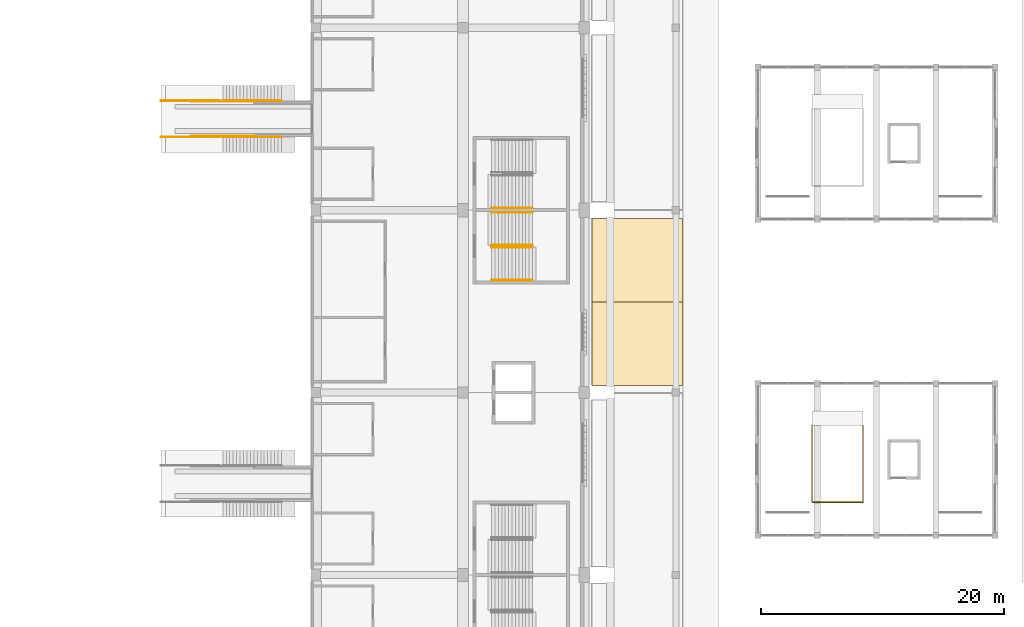
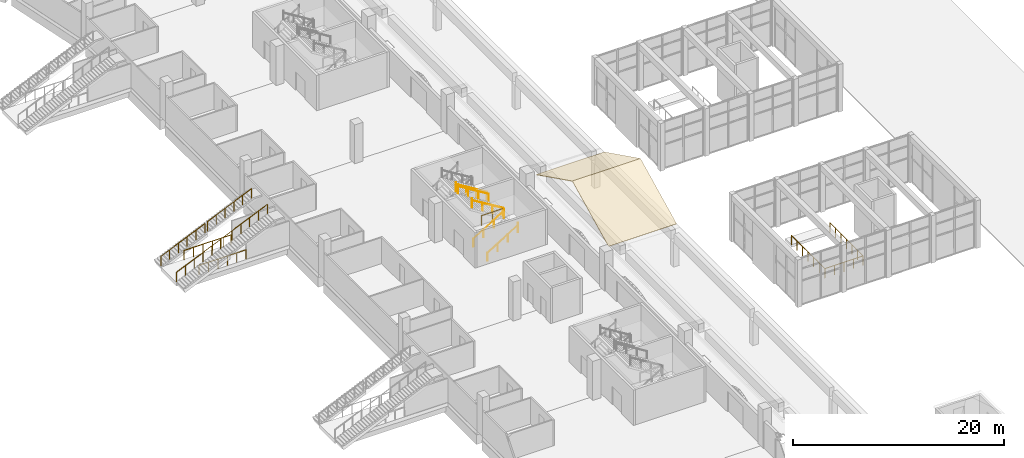
# One storey, part 161 of 175: 13 railings, 2 coverings.
"""IFC4 building model written with IfcOpenShell, lengths in metres."""

import ifcopenshell
import ifcopenshell.guid

model = None  # the IFC model being written
_history = None  # IfcOwnerHistory: only IFC2X3 demands one
_inside = {}  # id of a spatial element -> (the spatial element, [elements in it])
_under = {}  # id of a project, library or spatial element -> (it, [spatial elements below it])
_declared = {}  # id of a project -> (the project, [libraries it declares])
_typed = {}  # id of a type object -> (the type object, [elements of that type])
_made_of = {}  # id of a material, layer set ... -> (it, [elements and type objects made of it])


def new_model(schema):
    """Start an empty IFC model of exactly this schema.

    Asked for "IFC4X3", IfcOpenShell would pick the latest addendum, in which some entities
    have other attributes; the version numbers below select the first issue.
    IFC2X3 requires an IfcOwnerHistory on every rooted entity: one is made here for all.
    """
    global model, _history
    if schema == "IFC4X3":
        model = ifcopenshell.file(schema_version=(4, 3, 0, 0))
    else:
        model = ifcopenshell.file(schema=schema)
    _inside.clear()
    _under.clear()
    _declared.clear()
    _typed.clear()
    _made_of.clear()
    _history = None
    if model.schema == "IFC2X3":
        org = make("IfcOrganization", Name="unknown")
        user = make(
            "IfcPersonAndOrganization",
            ThePerson=make("IfcPerson", FamilyName="unknown"),
            TheOrganization=org,
        )
        app = make(
            "IfcApplication",
            ApplicationDeveloper=org,
            Version="unknown",
            ApplicationFullName="unknown",
            ApplicationIdentifier="unknown",
        )
        _history = make(
            "IfcOwnerHistory",
            OwningUser=user,
            OwningApplication=app,
            ChangeAction="ADDED",
            CreationDate=0,
        )
    return model


def make(cls, **values):
    """One entity of the class cls with the attributes given. An attribute that is None is left unset."""
    return model.create_entity(
        cls, **{name: value for name, value in values.items() if value is not None}
    )


def rooted(cls, **values):
    """An entity with a GlobalId (a new one), such as an element, a storey or a relation."""
    return make(cls, GlobalId=ifcopenshell.guid.new(), OwnerHistory=_history, **values)


def si_unit(unit_type, name, prefix=None):
    """IfcSIUnit, for example si_unit("LENGTHUNIT", "METRE", prefix="MILLI")."""
    return make("IfcSIUnit", UnitType=unit_type, Prefix=prefix, Name=name)


def assignment(units):
    """IfcUnitAssignment: the units of a project."""
    return None if units is None else make("IfcUnitAssignment", Units=units)


def point(xyz):
    """IfcCartesianPoint."""
    return None if xyz is None else make("IfcCartesianPoint", Coordinates=xyz)


def direction(xyz):
    """IfcDirection."""
    return None if xyz is None else make("IfcDirection", DirectionRatios=xyz)


def frame(location, z_axis=None, x_axis=None):
    """IfcAxis2Placement3D, a coordinate frame: its origin and axes. An axis left out is left unset."""
    return make(
        "IfcAxis2Placement3D",
        Location=point(location),
        Axis=direction(z_axis),
        RefDirection=direction(x_axis),
    )


def frame_2d(location, x_axis=None):
    """IfcAxis2Placement2D, a coordinate frame in the plane: its origin and x axis."""
    return make(
        "IfcAxis2Placement2D", Location=point(location), RefDirection=direction(x_axis)
    )


def origin():
    """The frame at (0, 0, 0) with its axes left unset."""
    return frame((0.0, 0.0, 0.0))


def origin_2d():
    """The frame at (0, 0) in the plane with its x axis left unset."""
    return frame_2d((0.0, 0.0))


def place(relative_to, where):
    """IfcLocalPlacement: puts the frame where relative to a parent placement (None: the world)."""
    return make(
        "IfcLocalPlacement", PlacementRelTo=relative_to, RelativePlacement=where
    )


def context(
    kind, dimensions, precision=None, world=None, true_north=None, identifier=None
):
    """IfcGeometricRepresentationContext, for example the 3D "Model" context."""
    return make(
        "IfcGeometricRepresentationContext",
        ContextIdentifier=identifier,
        ContextType=kind,
        CoordinateSpaceDimension=dimensions,
        Precision=precision,
        WorldCoordinateSystem=world,
        TrueNorth=true_north,
    )


def subcontext(parent, identifier, kind, view, scale=None):
    """IfcGeometricRepresentationSubContext, for example "Body" below "Model"."""
    return make(
        "IfcGeometricRepresentationSubContext",
        ContextIdentifier=identifier,
        ContextType=kind,
        ParentContext=parent,
        TargetScale=scale,
        TargetView=view,
    )


def project(units=None, contexts=None):
    """IfcProject with its units and contexts."""
    return rooted(
        "IfcProject",
        Name="project",
        RepresentationContexts=contexts,
        UnitsInContext=assignment(units),
    )


def spatial(cls, under=None, at=None, **own):
    """A site, building, storey or space (cls), placed at a placement, below another one or the project."""
    s = rooted(cls, ObjectPlacement=at, **own)
    if under is not None:
        _under.setdefault(under.id(), (under, []))[1].append(s)
    return s


def polyline(points):
    """IfcPolyline through the points."""
    return make("IfcPolyline", Points=[point(p) for p in points])


def profile(cls, at=None, kind="AREA", **sizes):
    """A parametric profile (cls). Its sizes go by their IFC names, for example OverallWidth=200.0."""
    return make(cls, ProfileType=kind, Position=at, **sizes)


def circle(**sizes):
    """IfcCircleProfileDef."""
    return profile("IfcCircleProfileDef", **sizes)


def outline(outer, holes=None, kind="AREA"):
    """IfcArbitraryClosedProfileDef: a profile drawn as a closed curve; with holes, ...WithVoids."""
    if holes is None:
        return make("IfcArbitraryClosedProfileDef", ProfileType=kind, OuterCurve=outer)
    return make(
        "IfcArbitraryProfileDefWithVoids",
        ProfileType=kind,
        OuterCurve=outer,
        InnerCurves=holes,
    )


def extrude(swept, where, along, depth):
    """IfcExtrudedAreaSolid: the profile swept, set in the frame where, extruded along a direction by depth."""
    return make(
        "IfcExtrudedAreaSolid",
        SweptArea=swept,
        Position=where,
        ExtrudedDirection=direction(along),
        Depth=depth,
    )


def shape(context_of_items, identifier, shape_type, items):
    """IfcShapeRepresentation: the items that make up one representation, for example the "Body"."""
    return make(
        "IfcShapeRepresentation",
        ContextOfItems=context_of_items,
        RepresentationIdentifier=identifier,
        RepresentationType=shape_type,
        Items=items,
    )


def material(Name=None, Category=None):
    """IfcMaterial."""
    return make("IfcMaterial", Name=Name, Category=Category)


def layer(
    of_material, thickness, ventilated=None, Name=None, Category=None, Priority=None
):
    """IfcMaterialLayer: one layer of a wall or slab, of a material (None: an air gap)."""
    return make(
        "IfcMaterialLayer",
        Material=of_material,
        LayerThickness=thickness,
        IsVentilated=ventilated,
        Name=Name,
        Category=Category,
        Priority=Priority,
    )


def layer_set(layers, Name=None):
    """IfcMaterialLayerSet."""
    return make("IfcMaterialLayerSet", MaterialLayers=layers, LayerSetName=Name)


def made_of(thing, what):
    """Note that an element or type object is made of a material, layer set ...; save() writes the relation."""
    if what is not None:
        _made_of.setdefault(what.id(), (what, []))[1].append(thing)
    return thing


def type_object(cls, material=None, **own):
    """A type object (cls), such as IfcWallType, which elements share."""
    return made_of(rooted(cls, **own), material)


def element(
    cls,
    number,
    at=None,
    inside=None,
    cuts=None,
    type_object=None,
    material=None,
    context=None,
    identifier="Body",
    shape_type=None,
    held_by="IfcProductDefinitionShape",
    body=None,
    shapes=None,
    **own,
):
    """One element of the class cls, such as IfcWall. Its Tag is "e" and its number.

    at: its placement. inside: the storey or other place that contains it. cuts: it is an
    opening in that element (IfcRelVoidsElement). A single representation is given by context,
    identifier, shape_type and body (its items); several are given by shapes. held_by: the class
    of the entity that holds the representations. save() writes the other relations.
    """
    e = rooted(cls, Tag="e%d" % number, ObjectPlacement=at, **own)
    if body is not None:
        shapes = [shape(context, identifier, shape_type, body)]
    if shapes is not None:
        e.Representation = make(held_by, Representations=shapes)
    if inside is not None:
        _inside.setdefault(inside.id(), (inside, []))[1].append(e)
    if cuts is not None:
        rooted(
            "IfcRelVoidsElement", RelatingBuildingElement=cuts, RelatedOpeningElement=e
        )
    if type_object is not None:
        _typed.setdefault(type_object.id(), (type_object, []))[1].append(e)
    return made_of(e, material)


def aggregate(whole, parts):
    """IfcRelAggregates: a whole, such as a stair, and the parts it consists of."""
    return rooted("IfcRelAggregates", RelatingObject=whole, RelatedObjects=parts)


def save(model, path):
    """Write the relations noted so far, then the file.

    IfcRelAggregates (storeys below a building ...), IfcRelContainedInSpatialStructure (elements
    in a storey), IfcRelDefinesByType, IfcRelAssociatesMaterial and IfcRelDeclares: one each for
    every whole, place, type object, material and project.
    """
    for whole, parts in _under.values():
        aggregate(whole, parts)
    for where, things in _inside.values():
        rooted(
            "IfcRelContainedInSpatialStructure",
            RelatedElements=things,
            RelatingStructure=where,
        )
    for kind, things in _typed.values():
        rooted("IfcRelDefinesByType", RelatedObjects=things, RelatingType=kind)
    for what, things in _made_of.values():
        rooted("IfcRelAssociatesMaterial", RelatedObjects=things, RelatingMaterial=what)
    for by, libraries in _declared.values():
        rooted("IfcRelDeclares", RelatingContext=by, RelatedDefinitions=libraries)
    model.write(path)


model = new_model("IFC4")

# Units and contexts
model_context = context("Model", 3, precision=1e-05, world=origin(), true_north=direction((0.0, 1.0)))
body_context = subcontext(model_context, "Body", "Model", "MODEL_VIEW")
ifc_project = project(units=[si_unit("LENGTHUNIT", "METRE"), si_unit("AREAUNIT", "SQUARE_METRE"), si_unit("VOLUMEUNIT", "CUBIC_METRE"), si_unit("PLANEANGLEUNIT", "RADIAN"), si_unit("MASSUNIT", "GRAM", prefix="KILO")], contexts=[model_context])

# Site, building, storey
site_placement = place(None, origin())
site = spatial("IfcSite", under=ifc_project, at=site_placement, CompositionType="ELEMENT")
building_placement = place(site_placement, origin())
building = spatial("IfcBuilding", under=site, at=building_placement, Name="Ogive Plaza Stadium", CompositionType="ELEMENT")
storey_placement = place(building_placement, origin())
storey = spatial("IfcBuildingStorey", under=building, at=storey_placement, Name="L00", CompositionType="ELEMENT", Elevation=0.0)

# Railings
ifc_material_1 = material(Name="Steel ASTM A572 Grade 50", Category="steel")
railing_type_1 = type_object("IfcRailingType", Name="Guard 1100", PredefinedType="GUARDRAIL", material=ifc_material_1)
railing_1_placement = place(storey_placement, frame((77.31005859375, 4.52490234375, 2.25)))
element("IfcRailing", 1, at=railing_1_placement, inside=storey, type_object=railing_type_1, Name="Stair well guard ST04A L00", PredefinedType="GUARDRAIL", context=body_context, shape_type="SweptSolid", body=[
    extrude(circle(Radius=0.02392578125, at=origin_2d()), frame((0.0, 0.0, 1.076171875), z_axis=(1.0, 0.0, 0.0), x_axis=(0.0, 1.0, 0.0)), (0.0, 0.0, 1.0), 2.39990234375),
    extrude(circle(Radius=0.02099609375, at=origin_2d()), origin(), (0.0, 0.0, 1.0), 1.052001953125),
    extrude(circle(Radius=0.02099609375, at=origin_2d()), frame((1.199951171875, 0.0, 0.0)), (0.0, 0.0, 1.0), 1.052001953125),
    extrude(circle(Radius=0.02099609375, at=origin_2d()), frame((2.39990234375, 0.0, 0.0)), (0.0, 0.0, 1.0), 1.052001953125),
])
for number, where, name in (
    (2, (49.14990234375, 13.5, 0.125), "Vomitory guard B03"),
    (3, (54.25, 13.5, 2.375), "Vomitory guard B03"),
    (4, (49.14990234375, 16.5, 0.125), "Vomitory guard B03"),
    (5, (54.25, 16.5, 2.375), "Vomitory guard B03"),
):
    element("IfcRailing", number, at=place(storey_placement, frame(where)), inside=storey, type_object=railing_type_1, Name=name, PredefinedType="GUARDRAIL", context=body_context, shape_type="SweptSolid", body=[
        extrude(circle(Radius=0.02392578125, at=origin_2d()), frame((0.0, 0.0, 1.076171875), z_axis=(0.914917297869, 0.0, 0.403641348302), x_axis=(0.0, 1.0, 0.0)), (0.0, 0.0, 1.0), 5.2646484375),
        extrude(circle(Radius=0.02099609375, at=origin_2d()), origin(), (0.0, 0.0, 1.0), 1.052001953125),
        extrude(circle(Radius=0.02099609375, at=origin_2d()), frame((0.96337890625, 0.0, 0.425048828125)), (0.0, 0.0, 1.0), 1.052001953125),
        extrude(circle(Radius=0.02099609375, at=origin_2d()), frame((1.9267578125, 0.0, 0.85009765625)), (0.0, 0.0, 1.0), 1.052001953125),
        extrude(circle(Radius=0.02099609375, at=origin_2d()), frame((2.889892578125, 0.0, 1.27490234375)), (0.0, 0.0, 1.0), 1.052001953125),
        extrude(circle(Radius=0.02099609375, at=origin_2d()), frame((3.853271484375, 0.0, 1.699951171875)), (0.0, 0.0, 1.0), 1.052001953125),
        extrude(circle(Radius=0.02099609375, at=origin_2d()), frame((4.816650390625, 0.0, 2.125)), (0.0, 0.0, 1.0), 1.052001953125),
    ])
for number, where, name in (
    (6, (51.643310546875, 13.580078125, 0.0), "Vomitory edge guard B03"),
    (7, (51.643310546875, 16.419921875, 0.0), "Vomitory edge guard B03"),
):
    element("IfcRailing", number, at=place(storey_placement, frame(where)), inside=storey, type_object=railing_type_1, Name=name, PredefinedType="GUARDRAIL", context=body_context, shape_type="SweptSolid", body=[
        extrude(circle(Radius=0.02392578125, at=origin_2d()), frame((0.0, 0.0, 1.076171875), z_axis=(1.0, 0.0, 0.0), x_axis=(0.0, 1.0, 0.0)), (0.0, 0.0, 1.0), 5.15673828125),
        extrude(circle(Radius=0.02099609375, at=origin_2d()), origin(), (0.0, 0.0, 1.0), 1.052001953125),
        extrude(circle(Radius=0.02099609375, at=origin_2d()), frame((1.03125, 0.0, 0.0)), (0.0, 0.0, 1.0), 1.052001953125),
        extrude(circle(Radius=0.02099609375, at=origin_2d()), frame((2.062744140625, 0.0, 0.0)), (0.0, 0.0, 1.0), 1.052001953125),
        extrude(circle(Radius=0.02099609375, at=origin_2d()), frame((3.093994140625, 0.0, 0.0)), (0.0, 0.0, 1.0), 1.052001953125),
        extrude(circle(Radius=0.02099609375, at=origin_2d()), frame((4.12548828125, 0.0, 0.0)), (0.0, 0.0, 1.0), 1.052001953125),
        extrude(circle(Radius=0.02099609375, at=origin_2d()), frame((5.15673828125, 0.0, 0.0)), (0.0, 0.0, 1.0), 1.052001953125),
    ])
ifc_material_2 = material(Name="Steel ASTM A572 Grade 50", Category="steel")
railing_type_2 = type_object("IfcRailingType", Name="Handrail 900", PredefinedType="HANDRAIL", material=ifc_material_2)
for number, where, name in (
    (8, (76.35009765625, 1.735107421875, 0.173095703125), "Handrail ST04A L00"),
    (9, (76.35009765625, 4.4150390625, 0.173095703125), "Handrail ST04A L00"),
):
    element("IfcRailing", number, at=place(storey_placement, frame(where)), inside=storey, type_object=railing_type_2, Name=name, PredefinedType="HANDRAIL", context=body_context, shape_type="SweptSolid", body=[
        extrude(circle(Radius=0.02392578125, at=origin_2d()), frame((0.0, 0.0, 0.8759765625), z_axis=(0.850606129759, 0.0, 0.525803396734), x_axis=(0.0, 1.0, 0.0)), (0.0, 0.0, 1.0), 3.949951171875),
        extrude(circle(Radius=0.02099609375, at=origin_2d()), origin(), (0.0, 0.0, 1.0), 0.851806640625),
        extrude(circle(Radius=0.02099609375, at=origin_2d()), frame((1.119873046875, 0.0, 0.6923828125)), (0.0, 0.0, 1.0), 0.851806640625),
        extrude(circle(Radius=0.02099609375, at=origin_2d()), frame((2.239990234375, 0.0, 1.384521484375)), (0.0, 0.0, 1.0), 0.851806640625),
        extrude(circle(Radius=0.02099609375, at=origin_2d()), frame((3.35986328125, 0.0, 2.076904296875)), (0.0, 0.0, 1.0), 1.10009765625),
    ])
for number, where, name in (
    (10, (79.7099609375, 4.635009765625, 2.423095703125), "Handrail ST04A L00"),
    (11, (79.7099609375, 7.31494140625, 2.423095703125), "Handrail ST04A L00"),
    (12, (79.7099609375, 7.68505859375, 2.423095703125), "Handrail ST04B L00"),
):
    element("IfcRailing", number, at=place(storey_placement, frame(where)), inside=storey, type_object=railing_type_2, Name=name, PredefinedType="HANDRAIL", context=body_context, shape_type="SweptSolid", body=[
        extrude(circle(Radius=0.02392578125, at=origin_2d()), frame((0.0, 0.0, 0.8759765625), z_axis=(-0.850606129759, 0.0, 0.525803396734), x_axis=(0.0, -1.0, 0.0)), (0.0, 0.0, 1.0), 3.949951171875),
        extrude(circle(Radius=0.02099609375, at=origin_2d()), origin(), (0.0, 0.0, 1.0), 0.851806640625),
        extrude(circle(Radius=0.02099609375, at=origin_2d()), frame((-1.119873046875, 0.0, 0.6923828125)), (0.0, 0.0, 1.0), 0.851806640625),
        extrude(circle(Radius=0.02099609375, at=origin_2d()), frame((-2.239990234375, 0.0, 1.384521484375)), (0.0, 0.0, 1.0), 0.851806640625),
        extrude(circle(Radius=0.02099609375, at=origin_2d()), frame((-3.35986328125, 0.0, 2.076904296875)), (0.0, 0.0, 1.0), 1.10009765625),
    ])

# Coverings
ifc_material_3 = material(Name="Natural slate on battens", Category="masonry")
ifc_layer = layer(ifc_material_3, 0.06005859375)
ifc_layer_set = layer_set([ifc_layer], Name="Porch roof slate 60")
covering_type = type_object("IfcCoveringType", Name="Porch roof slate 60", PredefinedType="ROOFING", material=ifc_layer_set)
covering_1_placement = place(storey_placement, frame((84.60009765625, 6.800048828125, 4.15380859375), z_axis=(0.0, 0.444581079593, 0.895738613474), x_axis=(1.0, 0.0, 0.0)))
element("IfcCovering", 13, at=covering_1_placement, inside=storey, type_object=covering_type, Name="Porch roof covering 1 north", PredefinedType="ROOFING", context=body_context, shape_type="SweptSolid", body=[
    extrude(outline(polyline([(0.0, 0.0), (7.449951171875, 0.0), (7.449951171875, -7.647429231264483), (0.0, -7.647429231264483), (0.0, 0.0)])), origin(), (0.0, 0.0, -1.0), 0.06005859375),
])
covering_2_placement = place(storey_placement, frame((84.60009765625, -6.89990234375, 4.15380859375), z_axis=(0.0, -0.44459379317, 0.895732303244), x_axis=(0.0, 0.895732303244, 0.44459379317)))
element("IfcCovering", 14, at=covering_2_placement, inside=storey, type_object=covering_type, Name="Porch roof covering 1 south", PredefinedType="ROOFING", context=body_context, shape_type="SweptSolid", body=[
    extrude(outline(polyline([(0.0, 0.0), (7.647210545849834, 0.0), (7.647210545849834, -7.449951171875), (0.0, -7.449951171875), (0.0, 0.0)])), origin(), (0.0, 0.0, -1.0), 0.06005859375),
])

# Railing
ifc_material_4 = material(Name="Stainless steel", Category="steel")
railing_type_3 = type_object("IfcRailingType", Name="Station guard 1100", PredefinedType="GUARDRAIL", material=ifc_material_4)
railing_2_placement = place(storey_placement, frame((102.699951171875, -10.199951171875, 0.0)))
element("IfcRailing", 15, at=railing_2_placement, inside=storey, type_object=railing_type_3, Name="Station guard 1100 GR-HH1", PredefinedType="GUARDRAIL", context=body_context, shape_type="SweptSolid", body=[
    extrude(circle(Radius=0.02392578125, at=origin_2d()), frame((0.0, 0.0, 1.076171875), z_axis=(0.0, -1.0, 0.0), x_axis=(1.0, 0.0, 0.0)), (0.0, 0.0, 1.0), 6.31591796875),
    extrude(circle(Radius=0.02392578125, at=origin_2d()), frame((0.0, -6.31591796875, 1.076171875), z_axis=(1.0, 0.0, 0.0), x_axis=(0.0, 1.0, 0.0)), (0.0, 0.0, 1.0), 4.199951171875),
    extrude(circle(Radius=0.02392578125, at=origin_2d()), frame((4.199951171875, -6.31591796875, 1.076171875), z_axis=(0.0, 1.0, 0.0), x_axis=(-1.0, 0.0, 0.0)), (0.0, 0.0, 1.0), 6.31591796875),
    extrude(circle(Radius=0.02099609375, at=origin_2d()), origin(), (0.0, 0.0, 1.0), 1.052001953125),
    extrude(circle(Radius=0.02099609375, at=origin_2d()), frame((0.0, -1.052734375, 0.0)), (0.0, 0.0, 1.0), 1.052001953125),
    extrude(circle(Radius=0.02099609375, at=origin_2d()), frame((0.0, -2.105224609375, 0.0)), (0.0, 0.0, 1.0), 1.052001953125),
    extrude(circle(Radius=0.02099609375, at=origin_2d()), frame((0.0, -3.157958984375, 0.0)), (0.0, 0.0, 1.0), 1.052001953125),
    extrude(circle(Radius=0.02099609375, at=origin_2d()), frame((0.0, -4.210693359375, 0.0)), (0.0, 0.0, 1.0), 1.052001953125),
    extrude(circle(Radius=0.02099609375, at=origin_2d()), frame((0.0, -5.26318359375, 0.0)), (0.0, 0.0, 1.0), 1.052001953125),
    extrude(circle(Radius=0.02099609375, at=origin_2d()), frame((0.0, -6.31591796875, 0.0)), (0.0, 0.0, 1.0), 1.052001953125),
    extrude(circle(Radius=0.02099609375, at=origin_2d()), frame((1.050048828125, -6.31591796875, 0.0)), (0.0, 0.0, 1.0), 1.052001953125),
    extrude(circle(Radius=0.02099609375, at=origin_2d()), frame((2.10009765625, -6.31591796875, 0.0)), (0.0, 0.0, 1.0), 1.052001953125),
    extrude(circle(Radius=0.02099609375, at=origin_2d()), frame((3.14990234375, -6.31591796875, 0.0)), (0.0, 0.0, 1.0), 1.052001953125),
    extrude(circle(Radius=0.02099609375, at=origin_2d()), frame((4.199951171875, -6.31591796875, 0.0)), (0.0, 0.0, 1.0), 1.052001953125),
    extrude(circle(Radius=0.02099609375, at=origin_2d()), frame((4.199951171875, -5.26318359375, 0.0)), (0.0, 0.0, 1.0), 1.052001953125),
    extrude(circle(Radius=0.02099609375, at=origin_2d()), frame((4.199951171875, -4.210693359375, 0.0)), (0.0, 0.0, 1.0), 1.052001953125),
    extrude(circle(Radius=0.02099609375, at=origin_2d()), frame((4.199951171875, -3.157958984375, 0.0)), (0.0, 0.0, 1.0), 1.052001953125),
    extrude(circle(Radius=0.02099609375, at=origin_2d()), frame((4.199951171875, -2.105224609375, 0.0)), (0.0, 0.0, 1.0), 1.052001953125),
    extrude(circle(Radius=0.02099609375, at=origin_2d()), frame((4.199951171875, -1.052734375, 0.0)), (0.0, 0.0, 1.0), 1.052001953125),
    extrude(circle(Radius=0.02099609375, at=origin_2d()), frame((4.199951171875, 0.0, 0.0)), (0.0, 0.0, 1.0), 1.052001953125),
])

save(model, "model.ifc")
